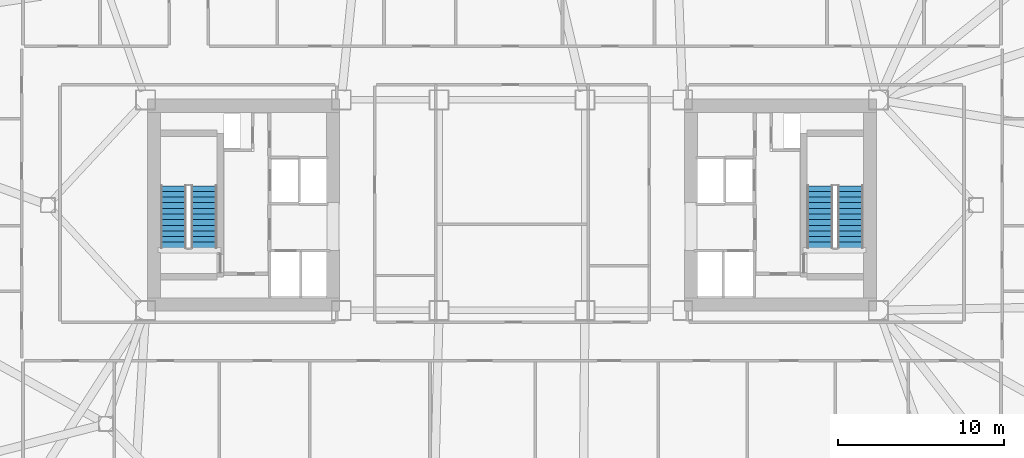
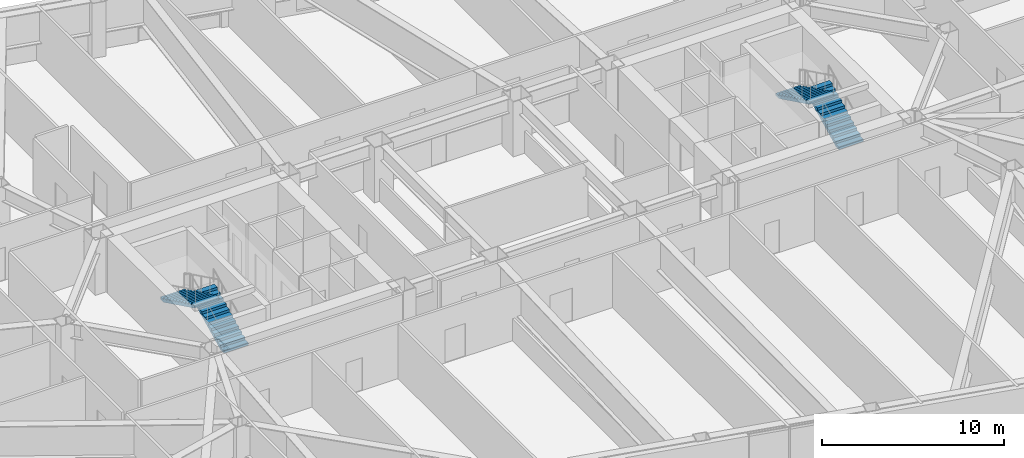
# One storey, part 14 of 19: 4 stair flights, 2 elements without a shape of their own.
"""IFC4 building model written with IfcOpenShell, lengths in metres."""

from ifc_helpers import new_model, si_unit, direction, frame, origin, place, context, subcontext, project, spatial, polyline, outline, extrude, material, type_object, element, aggregate, save


model = new_model("IFC4")

# Units and contexts
model_context = context("Model", 3, precision=1e-05, world=origin(), true_north=direction((0.0, 1.0)))
body_context = subcontext(model_context, "Body", "Model", "MODEL_VIEW")
ifc_project = project(units=[si_unit("LENGTHUNIT", "METRE"), si_unit("AREAUNIT", "SQUARE_METRE"), si_unit("VOLUMEUNIT", "CUBIC_METRE"), si_unit("PLANEANGLEUNIT", "RADIAN"), si_unit("MASSUNIT", "GRAM", prefix="KILO")], contexts=[model_context])

# Site, building, storey
site_placement = place(None, origin())
site = spatial("IfcSite", under=ifc_project, at=site_placement, CompositionType="ELEMENT")
building_placement = place(site_placement, origin())
building = spatial("IfcBuilding", under=site, at=building_placement, Name="Tavrogorsk Clinical Tower", CompositionType="ELEMENT")
storey_placement = place(building_placement, frame((0.0, 0.0, 79.39990234375)))
storey = spatial("IfcBuildingStorey", under=building, at=storey_placement, Name="L17", CompositionType="ELEMENT", Elevation=79.39990234375)

# Stair, stair flights
ifc_material_1 = material(Name="Concrete B60", Category="concrete")
stair_type = type_object("IfcStairType", Name="CoreStairAssembly", PredefinedType="HALF_TURN_STAIR", material=ifc_material_1)
stair_1_placement = place(storey_placement, origin())
stair_1 = element("IfcStair", 1, at=stair_1_placement, inside=storey, type_object=stair_type, Name="L17 ST-W", PredefinedType="HALF_TURN_STAIR")
ifc_material_2 = material(Name="Concrete B60", Category="concrete")
stair_flight_type = type_object("IfcStairFlightType", Name="CoreStairFlight", PredefinedType="STRAIGHT", material=ifc_material_2)
stair_flight_1_placement = place(storey_placement, frame((-18.574951171875, -2.574951171875, 0.0), z_axis=(0.0, 0.0, 1.0), x_axis=(0.0, 1.0, 0.0)))
stair_flight_1 = element("IfcStairFlight", 2, at=stair_flight_1_placement, type_object=stair_flight_type, Name="ST-W flight 1", NumberOfRisers=12, NumberOfTreads=11, PredefinedType="STRAIGHT", RiserHeight=0.166666667, TreadLength=0.34, context=body_context, shape_type="SweptSolid", body=[
    extrude(outline(polyline([(0.0, 0.0), (0.0, 0.166748046875), (0.340087890625, 0.166748046875), (0.340087890625, 0.333251953125), (0.679931640625, 0.333251953125), (0.679931640625, 0.5), (1.02001953125, 0.5), (1.02001953125, 0.666748046875), (1.360107421875, 0.666748046875), (1.360107421875, 0.833251953125), (1.699951171875, 0.833251953125), (1.699951171875, 1.0), (2.0400390625, 1.0), (2.0400390625, 1.166748046875), (2.3798828125, 1.166748046875), (2.3798828125, 1.333251953125), (2.719970703125, 1.333251953125), (2.719970703125, 1.5), (3.06005859375, 1.5), (3.06005859375, 1.666748046875), (3.39990234375, 1.666748046875), (3.39990234375, 1.833251953125), (3.739990234375, 1.833251953125), (3.739990234375, 2.0), (3.739990234375, 1.66650390625), (0.340576171875, 0.0), (0.0, 0.0)])), frame((0.0, 0.77490234375, 0.0), z_axis=(0.0, -1.0, 0.0), x_axis=(1.0, 0.0, 0.0)), (0.0, 0.0, 1.0), 1.550048828125),
])
stair_flight_2_placement = place(storey_placement, frame((-20.425048828125, 1.1650390625, 2.0), z_axis=(0.0, 0.0, 1.0), x_axis=(0.0, -1.0, 0.0)))
stair_flight_2 = element("IfcStairFlight", 3, at=stair_flight_2_placement, type_object=stair_flight_type, Name="ST-W flight 2", NumberOfRisers=12, NumberOfTreads=11, PredefinedType="STRAIGHT", RiserHeight=0.166666667, TreadLength=0.34, context=body_context, shape_type="SweptSolid", body=[
    extrude(outline(polyline([(0.0, 0.0), (0.0, 0.166748046875), (0.340087890625, 0.166748046875), (0.340087890625, 0.333251953125), (0.679931640625, 0.333251953125), (0.679931640625, 0.5), (1.02001953125, 0.5), (1.02001953125, 0.666748046875), (1.360107421875, 0.666748046875), (1.360107421875, 0.833251953125), (1.699951171875, 0.833251953125), (1.699951171875, 1.0), (2.0400390625, 1.0), (2.0400390625, 1.166748046875), (2.3798828125, 1.166748046875), (2.3798828125, 1.333251953125), (2.719970703125, 1.333251953125), (2.719970703125, 1.5), (3.06005859375, 1.5), (3.06005859375, 1.666748046875), (3.39990234375, 1.666748046875), (3.39990234375, 1.833251953125), (3.739990234375, 1.833251953125), (3.739990234375, 2.0), (3.739990234375, 1.66650390625), (0.340576171875, 0.0), (0.0, 0.0)])), frame((0.0, 0.77490234375, 0.0), z_axis=(0.0, -1.0, 0.0), x_axis=(1.0, 0.0, 0.0)), (0.0, 0.0, 1.0), 1.550048828125),
])
aggregate(stair_1, [stair_flight_1, stair_flight_2])

stair_2_placement = place(storey_placement, origin())
stair_2 = element("IfcStair", 4, at=stair_2_placement, inside=storey, type_object=stair_type, Name="L17 ST-E", PredefinedType="HALF_TURN_STAIR")
stair_flight_3_placement = place(storey_placement, frame((20.425048828125, -2.574951171875, 0.0), z_axis=(0.0, 0.0, 1.0), x_axis=(0.0, 1.0, 0.0)))
stair_flight_3 = element("IfcStairFlight", 5, at=stair_flight_3_placement, type_object=stair_flight_type, Name="ST-E flight 1", NumberOfRisers=12, NumberOfTreads=11, PredefinedType="STRAIGHT", RiserHeight=0.166666667, TreadLength=0.34, context=body_context, shape_type="SweptSolid", body=[
    extrude(outline(polyline([(0.0, 0.0), (0.0, 0.166748046875), (0.340087890625, 0.166748046875), (0.340087890625, 0.333251953125), (0.679931640625, 0.333251953125), (0.679931640625, 0.5), (1.02001953125, 0.5), (1.02001953125, 0.666748046875), (1.360107421875, 0.666748046875), (1.360107421875, 0.833251953125), (1.699951171875, 0.833251953125), (1.699951171875, 1.0), (2.0400390625, 1.0), (2.0400390625, 1.166748046875), (2.3798828125, 1.166748046875), (2.3798828125, 1.333251953125), (2.719970703125, 1.333251953125), (2.719970703125, 1.5), (3.06005859375, 1.5), (3.06005859375, 1.666748046875), (3.39990234375, 1.666748046875), (3.39990234375, 1.833251953125), (3.739990234375, 1.833251953125), (3.739990234375, 2.0), (3.739990234375, 1.66650390625), (0.340576171875, 0.0), (0.0, 0.0)])), frame((0.0, 0.77490234375, 0.0), z_axis=(0.0, -1.0, 0.0), x_axis=(1.0, 0.0, 0.0)), (0.0, 0.0, 1.0), 1.550048828125),
])
stair_flight_4_placement = place(storey_placement, frame((18.574951171875, 1.1650390625, 2.0), z_axis=(0.0, 0.0, 1.0), x_axis=(0.0, -1.0, 0.0)))
stair_flight_4 = element("IfcStairFlight", 6, at=stair_flight_4_placement, type_object=stair_flight_type, Name="ST-E flight 2", NumberOfRisers=12, NumberOfTreads=11, PredefinedType="STRAIGHT", RiserHeight=0.166666667, TreadLength=0.34, context=body_context, shape_type="SweptSolid", body=[
    extrude(outline(polyline([(0.0, 0.0), (0.0, 0.166748046875), (0.340087890625, 0.166748046875), (0.340087890625, 0.333251953125), (0.679931640625, 0.333251953125), (0.679931640625, 0.5), (1.02001953125, 0.5), (1.02001953125, 0.666748046875), (1.360107421875, 0.666748046875), (1.360107421875, 0.833251953125), (1.699951171875, 0.833251953125), (1.699951171875, 1.0), (2.0400390625, 1.0), (2.0400390625, 1.166748046875), (2.3798828125, 1.166748046875), (2.3798828125, 1.333251953125), (2.719970703125, 1.333251953125), (2.719970703125, 1.5), (3.06005859375, 1.5), (3.06005859375, 1.666748046875), (3.39990234375, 1.666748046875), (3.39990234375, 1.833251953125), (3.739990234375, 1.833251953125), (3.739990234375, 2.0), (3.739990234375, 1.66650390625), (0.340576171875, 0.0), (0.0, 0.0)])), frame((0.0, 0.77490234375, 0.0), z_axis=(0.0, -1.0, 0.0), x_axis=(1.0, 0.0, 0.0)), (0.0, 0.0, 1.0), 1.550048828125),
])
aggregate(stair_2, [stair_flight_3, stair_flight_4])

save(model, "model.ifc")
